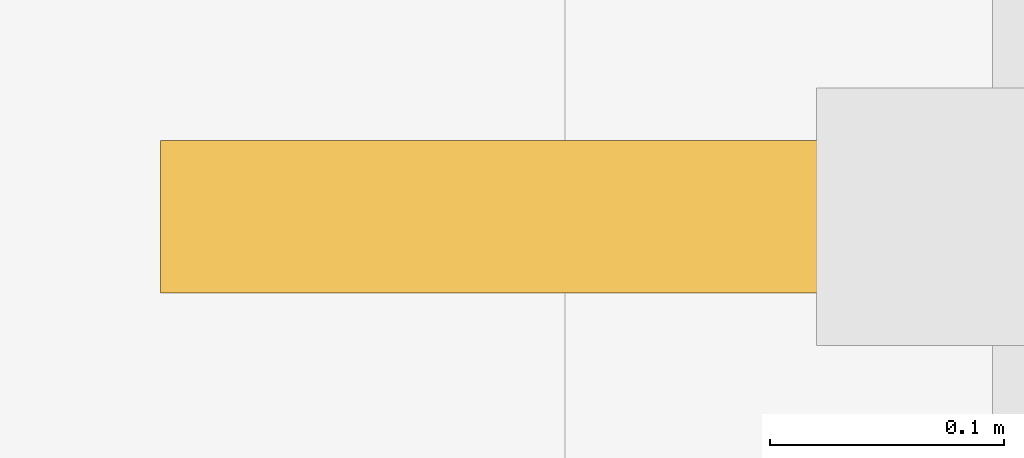
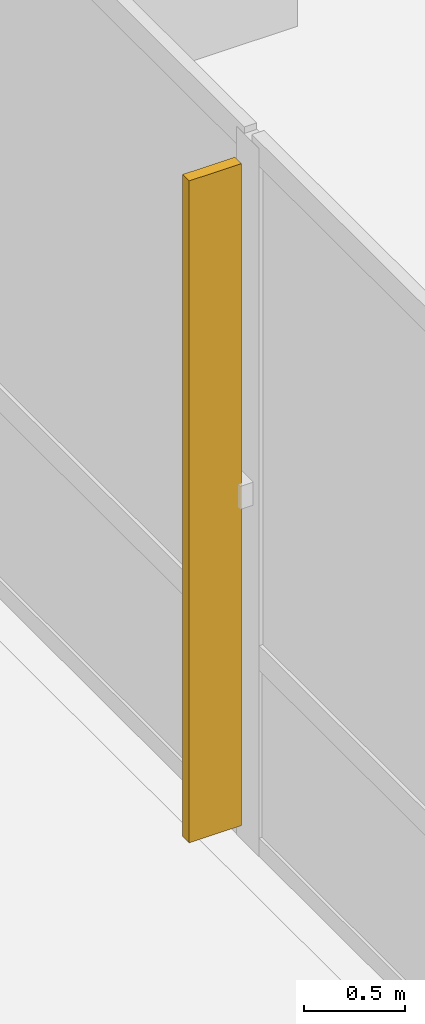
# One storey, part 24 of 28: 1 shading device.
"""IFC4 building model written with IfcOpenShell, lengths in metres."""

from ifc_helpers import new_model, si_unit, direction, frame, origin, place, context, subcontext, project, spatial, polyline, outline, extrude, material, layer, layer_set, type_object, element, save


model = new_model("IFC4")

# Units and contexts
model_context = context("Model", 3, precision=1e-05, world=origin(), true_north=direction((0.0, 1.0)))
body_context = subcontext(model_context, "Body", "Model", "MODEL_VIEW")
ifc_project = project(units=[si_unit("LENGTHUNIT", "METRE"), si_unit("AREAUNIT", "SQUARE_METRE"), si_unit("VOLUMEUNIT", "CUBIC_METRE"), si_unit("PLANEANGLEUNIT", "RADIAN"), si_unit("MASSUNIT", "GRAM", prefix="KILO")], contexts=[model_context])

# Site, building, storey
site_placement = place(None, origin())
site = spatial("IfcSite", under=ifc_project, at=site_placement, CompositionType="ELEMENT")
building_placement = place(site_placement, origin())
building = spatial("IfcBuilding", under=site, at=building_placement, Name="Qalmaran Belvedere Hotel", CompositionType="ELEMENT")
storey_placement = place(building_placement, frame((0.0, 0.0, 10.0)))
storey = spatial("IfcBuildingStorey", under=building, at=storey_placement, Name="L02", CompositionType="ELEMENT", Elevation=10.0)

# Shading device
ifc_material = material(Name="Anodised Bronze Aluminium", Category="aluminium")
ifc_layer = layer(ifc_material, 0.06494140625, Name="Anodised Bronze Aluminium")
ifc_layer_set = layer_set([ifc_layer], Name="Anodised Bronze Aluminium")
shading_device_type = type_object("IfcShadingDeviceType", Name="FIN-BRNZ-300", PredefinedType="USERDEFINED", material=ifc_layer_set)
shading_device_placement = place(storey_placement, frame((0.0, 0.0, 0.159912109375)))
element("IfcShadingDevice", 1, at=shading_device_placement, inside=storey, type_object=shading_device_type, Name="L02 Bronze Fin 1", ObjectType="FIN", PredefinedType="USERDEFINED", context=body_context, shape_type="SweptSolid", body=[
    extrude(outline(polyline([(0.62744140625, 41.802490234375), (0.327392578125, 41.802490234375), (0.327392578125, 41.737548828125), (0.62744140625, 41.737548828125), (0.62744140625, 41.802490234375)])), origin(), (0.0, 0.0, 1.0), 4.02001953125),
])

save(model, "model.ifc")
